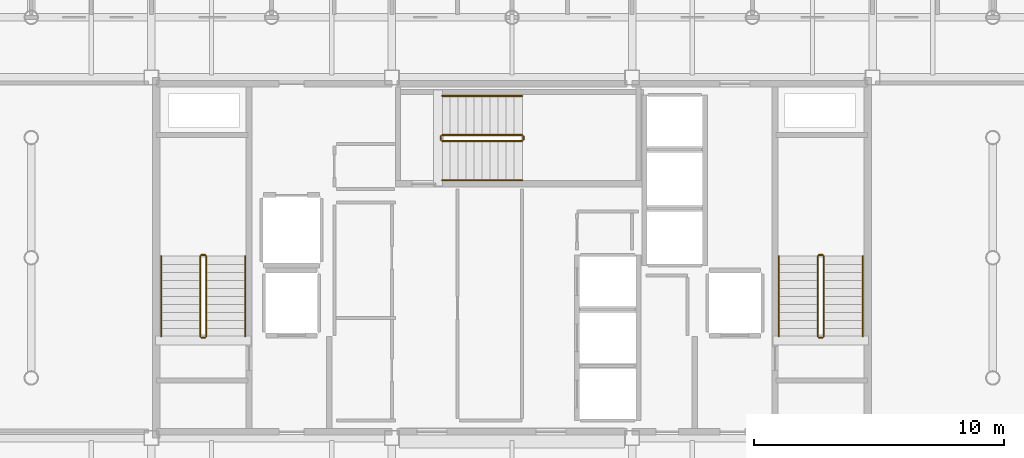
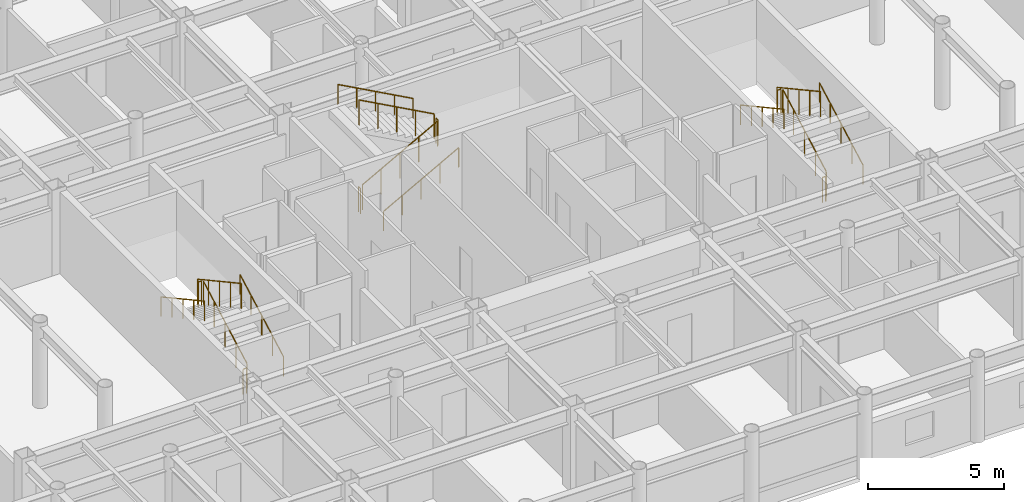
# One storey, part 23 of 23: 18 railings.
"""IFC4 building model written with IfcOpenShell, lengths in metres."""

from ifc_helpers import new_model, si_unit, direction, frame, origin, origin_2d, place, context, subcontext, project, spatial, circle, extrude, material, layer, layer_set, type_object, element, save


model = new_model("IFC4")

# Units and contexts
model_context = context("Model", 3, precision=1e-05, world=origin(), true_north=direction((0.0, 1.0)))
body_context = subcontext(model_context, "Body", "Model", "MODEL_VIEW")
ifc_project = project(units=[si_unit("LENGTHUNIT", "METRE"), si_unit("AREAUNIT", "SQUARE_METRE"), si_unit("VOLUMEUNIT", "CUBIC_METRE"), si_unit("PLANEANGLEUNIT", "RADIAN"), si_unit("MASSUNIT", "GRAM", prefix="KILO")], contexts=[model_context])

# Site, building, storey
site_placement = place(None, origin())
site = spatial("IfcSite", under=ifc_project, at=site_placement, CompositionType="ELEMENT")
building_placement = place(site_placement, origin())
building = spatial("IfcBuilding", under=site, at=building_placement, Name="Kallvorn Hotel Tower", CompositionType="ELEMENT")
storey_placement = place(building_placement, frame((0.0, 0.0, 237.699951171875)))
storey = spatial("IfcBuildingStorey", under=building, at=storey_placement, Name="L59", CompositionType="ELEMENT", Elevation=237.699951171875)

# Railings
ifc_material_1 = material(Name="Brushed stainless-steel tubular railing", Category="steel")
ifc_layer_1 = layer(ifc_material_1, 0.050048828125)
ifc_layer_set_1 = layer_set([ifc_layer_1], Name="RL_STAIR_GUARD")
railing_type_1 = type_object("IfcRailingType", Name="RL_STAIR_GUARD", PredefinedType="GUARDRAIL", material=ifc_layer_set_1)
railing_1_placement = place(storey_placement, frame((-12.2099609375, -3.139892578125, 0.175048828125)))
element("IfcRailing", 1, at=railing_1_placement, inside=storey, type_object=railing_type_1, Name="L59 ST1 stair guard 1", PredefinedType="GUARDRAIL", context=body_context, shape_type="SweptSolid", body=[
    extrude(circle(Radius=0.02392578125, at=origin_2d()), frame((0.0, 0.0, 1.1259765625), z_axis=(0.0, 0.877368057402, 0.479817977833), x_axis=(-1.0, 0.0, 0.0)), (0.0, 0.0, 1.0), 3.647216796875),
    extrude(circle(Radius=0.02099609375, at=origin_2d()), origin(), (0.0, 0.0, 1.0), 1.101806640625),
    extrude(circle(Radius=0.02099609375, at=origin_2d()), frame((0.0, 0.800048828125, 0.4375)), (0.0, 0.0, 1.0), 1.101806640625),
    extrude(circle(Radius=0.02099609375, at=origin_2d()), frame((0.0, 1.60009765625, 0.875)), (0.0, 0.0, 1.0), 1.101806640625),
    extrude(circle(Radius=0.02099609375, at=origin_2d()), frame((0.0, 2.39990234375, 1.3125)), (0.0, 0.0, 1.0), 1.101806640625),
    extrude(circle(Radius=0.02099609375, at=origin_2d()), frame((0.0, 3.199951171875, 1.75)), (0.0, 0.0, 1.0), 1.101806640625),
])
railing_2_placement = place(storey_placement, frame((-12.260009765625, 0.110107421875, 1.925048828125)))
element("IfcRailing", 2, at=railing_2_placement, inside=storey, type_object=railing_type_1, Name="L59 ST1 stair guard 2", PredefinedType="GUARDRAIL", context=body_context, shape_type="SweptSolid", body=[
    extrude(circle(Radius=0.02392578125, at=origin_2d()), frame((0.0, 0.0, 1.1259765625), z_axis=(-1.0, 0.0, 0.0), x_axis=(0.0, -1.0, 0.0)), (0.0, 0.0, 1.0), 0.139892578125),
    extrude(circle(Radius=0.02099609375, at=origin_2d()), origin(), (0.0, 0.0, 1.0), 1.101806640625),
    extrude(circle(Radius=0.02099609375, at=origin_2d()), frame((-0.139892578125, 0.0, 0.0)), (0.0, 0.0, 1.0), 1.101806640625),
])
railing_3_placement = place(storey_placement, frame((-12.449951171875, 0.06005859375, 2.10009765625)))
element("IfcRailing", 3, at=railing_3_placement, inside=storey, type_object=railing_type_1, Name="L59 ST1 stair guard 3", PredefinedType="GUARDRAIL", context=body_context, shape_type="SweptSolid", body=[
    extrude(circle(Radius=0.02392578125, at=origin_2d()), frame((0.0, 0.0, 1.1259765625), z_axis=(0.0, -0.877368057402, 0.479817977833), x_axis=(1.0, 0.0, 0.0)), (0.0, 0.0, 1.0), 3.647216796875),
    extrude(circle(Radius=0.02099609375, at=origin_2d()), origin(), (0.0, 0.0, 1.0), 1.101806640625),
    extrude(circle(Radius=0.02099609375, at=origin_2d()), frame((0.0, -0.800048828125, 0.4375)), (0.0, 0.0, 1.0), 1.101806640625),
    extrude(circle(Radius=0.02099609375, at=origin_2d()), frame((0.0, -1.60009765625, 0.875)), (0.0, 0.0, 1.0), 1.101806640625),
    extrude(circle(Radius=0.02099609375, at=origin_2d()), frame((0.0, -2.39990234375, 1.3125)), (0.0, 0.0, 1.0), 1.101806640625),
    extrude(circle(Radius=0.02099609375, at=origin_2d()), frame((0.0, -3.199951171875, 1.75)), (0.0, 0.0, 1.0), 1.101806640625),
])
railing_4_placement = place(storey_placement, frame((-12.260009765625, -3.18994140625, 0.0)))
element("IfcRailing", 4, at=railing_4_placement, inside=storey, type_object=railing_type_1, Name="L59 ST1 stair guard 4", PredefinedType="GUARDRAIL", context=body_context, shape_type="SweptSolid", body=[
    extrude(circle(Radius=0.02392578125, at=origin_2d()), frame((0.0, 0.0, 1.1259765625), z_axis=(-1.0, 0.0, 0.0), x_axis=(0.0, -1.0, 0.0)), (0.0, 0.0, 1.0), 0.139892578125),
    extrude(circle(Radius=0.02099609375, at=origin_2d()), origin(), (0.0, 0.0, 1.0), 1.101806640625),
    extrude(circle(Radius=0.02099609375, at=origin_2d()), frame((-0.139892578125, 0.0, 0.0)), (0.0, 0.0, 1.0), 1.101806640625),
])
railing_5_placement = place(storey_placement, frame((12.449951171875, -3.139892578125, 0.175048828125)))
element("IfcRailing", 5, at=railing_5_placement, inside=storey, type_object=railing_type_1, Name="L59 ST2 stair guard 1", PredefinedType="GUARDRAIL", context=body_context, shape_type="SweptSolid", body=[
    extrude(circle(Radius=0.02392578125, at=origin_2d()), frame((0.0, 0.0, 1.1259765625), z_axis=(0.0, 0.877368057402, 0.479817977833), x_axis=(-1.0, 0.0, 0.0)), (0.0, 0.0, 1.0), 3.647216796875),
    extrude(circle(Radius=0.02099609375, at=origin_2d()), origin(), (0.0, 0.0, 1.0), 1.101806640625),
    extrude(circle(Radius=0.02099609375, at=origin_2d()), frame((0.0, 0.800048828125, 0.4375)), (0.0, 0.0, 1.0), 1.101806640625),
    extrude(circle(Radius=0.02099609375, at=origin_2d()), frame((0.0, 1.60009765625, 0.875)), (0.0, 0.0, 1.0), 1.101806640625),
    extrude(circle(Radius=0.02099609375, at=origin_2d()), frame((0.0, 2.39990234375, 1.3125)), (0.0, 0.0, 1.0), 1.101806640625),
    extrude(circle(Radius=0.02099609375, at=origin_2d()), frame((0.0, 3.199951171875, 1.75)), (0.0, 0.0, 1.0), 1.101806640625),
])
railing_6_placement = place(storey_placement, frame((12.39990234375, 0.110107421875, 1.925048828125)))
element("IfcRailing", 6, at=railing_6_placement, inside=storey, type_object=railing_type_1, Name="L59 ST2 stair guard 2", PredefinedType="GUARDRAIL", context=body_context, shape_type="SweptSolid", body=[
    extrude(circle(Radius=0.02392578125, at=origin_2d()), frame((0.0, 0.0, 1.1259765625), z_axis=(-1.0, 0.0, 0.0), x_axis=(0.0, -1.0, 0.0)), (0.0, 0.0, 1.0), 0.139892578125),
    extrude(circle(Radius=0.02099609375, at=origin_2d()), origin(), (0.0, 0.0, 1.0), 1.101806640625),
    extrude(circle(Radius=0.02099609375, at=origin_2d()), frame((-0.139892578125, 0.0, 0.0)), (0.0, 0.0, 1.0), 1.101806640625),
])
railing_7_placement = place(storey_placement, frame((12.2099609375, 0.06005859375, 2.10009765625)))
element("IfcRailing", 7, at=railing_7_placement, inside=storey, type_object=railing_type_1, Name="L59 ST2 stair guard 3", PredefinedType="GUARDRAIL", context=body_context, shape_type="SweptSolid", body=[
    extrude(circle(Radius=0.02392578125, at=origin_2d()), frame((0.0, 0.0, 1.1259765625), z_axis=(0.0, -0.877368057402, 0.479817977833), x_axis=(1.0, 0.0, 0.0)), (0.0, 0.0, 1.0), 3.647216796875),
    extrude(circle(Radius=0.02099609375, at=origin_2d()), origin(), (0.0, 0.0, 1.0), 1.101806640625),
    extrude(circle(Radius=0.02099609375, at=origin_2d()), frame((0.0, -0.800048828125, 0.4375)), (0.0, 0.0, 1.0), 1.101806640625),
    extrude(circle(Radius=0.02099609375, at=origin_2d()), frame((0.0, -1.60009765625, 0.875)), (0.0, 0.0, 1.0), 1.101806640625),
    extrude(circle(Radius=0.02099609375, at=origin_2d()), frame((0.0, -2.39990234375, 1.3125)), (0.0, 0.0, 1.0), 1.101806640625),
    extrude(circle(Radius=0.02099609375, at=origin_2d()), frame((0.0, -3.199951171875, 1.75)), (0.0, 0.0, 1.0), 1.101806640625),
])
railing_8_placement = place(storey_placement, frame((12.39990234375, -3.18994140625, 0.0)))
element("IfcRailing", 8, at=railing_8_placement, inside=storey, type_object=railing_type_1, Name="L59 ST2 stair guard 4", PredefinedType="GUARDRAIL", context=body_context, shape_type="SweptSolid", body=[
    extrude(circle(Radius=0.02392578125, at=origin_2d()), frame((0.0, 0.0, 1.1259765625), z_axis=(-1.0, 0.0, 0.0), x_axis=(0.0, -1.0, 0.0)), (0.0, 0.0, 1.0), 0.139892578125),
    extrude(circle(Radius=0.02099609375, at=origin_2d()), origin(), (0.0, 0.0, 1.0), 1.101806640625),
    extrude(circle(Radius=0.02099609375, at=origin_2d()), frame((-0.139892578125, 0.0, 0.0)), (0.0, 0.0, 1.0), 1.101806640625),
])
railing_9_placement = place(storey_placement, frame((-2.7900390625, 4.659912109375, 0.175048828125)))
element("IfcRailing", 9, at=railing_9_placement, inside=storey, type_object=railing_type_1, Name="L59 ST3 stair guard 1", PredefinedType="GUARDRAIL", context=body_context, shape_type="SweptSolid", body=[
    extrude(circle(Radius=0.02392578125, at=origin_2d()), frame((0.0, 0.0, 1.1259765625), z_axis=(0.877368057402, 0.0, 0.479817977833), x_axis=(0.0, 1.0, 0.0)), (0.0, 0.0, 1.0), 3.647216796875),
    extrude(circle(Radius=0.02099609375, at=origin_2d()), origin(), (0.0, 0.0, 1.0), 1.101806640625),
    extrude(circle(Radius=0.02099609375, at=origin_2d()), frame((0.800048828125, 0.0, 0.4375)), (0.0, 0.0, 1.0), 1.101806640625),
    extrude(circle(Radius=0.02099609375, at=origin_2d()), frame((1.60009765625, 0.0, 0.875)), (0.0, 0.0, 1.0), 1.101806640625),
    extrude(circle(Radius=0.02099609375, at=origin_2d()), frame((2.39990234375, 0.0, 1.3125)), (0.0, 0.0, 1.0), 1.101806640625),
    extrude(circle(Radius=0.02099609375, at=origin_2d()), frame((3.199951171875, 0.0, 1.75)), (0.0, 0.0, 1.0), 1.101806640625),
])
railing_10_placement = place(storey_placement, frame((0.4599609375, 4.7099609375, 1.925048828125)))
element("IfcRailing", 10, at=railing_10_placement, inside=storey, type_object=railing_type_1, Name="L59 ST3 stair guard 2", PredefinedType="GUARDRAIL", context=body_context, shape_type="SweptSolid", body=[
    extrude(circle(Radius=0.02392578125, at=origin_2d()), frame((0.0, 0.0, 1.1259765625), z_axis=(0.0, 1.0, 0.0), x_axis=(-1.0, 0.0, 0.0)), (0.0, 0.0, 1.0), 0.14013671875),
    extrude(circle(Radius=0.02099609375, at=origin_2d()), origin(), (0.0, 0.0, 1.0), 1.101806640625),
    extrude(circle(Radius=0.02099609375, at=origin_2d()), frame((0.0, 0.14013671875, 0.0)), (0.0, 0.0, 1.0), 1.101806640625),
])
railing_11_placement = place(storey_placement, frame((0.409912109375, 4.89990234375, 2.10009765625)))
element("IfcRailing", 11, at=railing_11_placement, inside=storey, type_object=railing_type_1, Name="L59 ST3 stair guard 3", PredefinedType="GUARDRAIL", context=body_context, shape_type="SweptSolid", body=[
    extrude(circle(Radius=0.02392578125, at=origin_2d()), frame((0.0, 0.0, 1.1259765625), z_axis=(-0.877368057402, 0.0, 0.479817977833), x_axis=(0.0, -1.0, 0.0)), (0.0, 0.0, 1.0), 3.647216796875),
    extrude(circle(Radius=0.02099609375, at=origin_2d()), origin(), (0.0, 0.0, 1.0), 1.101806640625),
    extrude(circle(Radius=0.02099609375, at=origin_2d()), frame((-0.800048828125, 0.0, 0.4375)), (0.0, 0.0, 1.0), 1.101806640625),
    extrude(circle(Radius=0.02099609375, at=origin_2d()), frame((-1.60009765625, 0.0, 0.875)), (0.0, 0.0, 1.0), 1.101806640625),
    extrude(circle(Radius=0.02099609375, at=origin_2d()), frame((-2.39990234375, 0.0, 1.3125)), (0.0, 0.0, 1.0), 1.101806640625),
    extrude(circle(Radius=0.02099609375, at=origin_2d()), frame((-3.199951171875, 0.0, 1.75)), (0.0, 0.0, 1.0), 1.101806640625),
])
railing_12_placement = place(storey_placement, frame((-2.840087890625, 4.7099609375, 0.0)))
element("IfcRailing", 12, at=railing_12_placement, inside=storey, type_object=railing_type_1, Name="L59 ST3 stair guard 4", PredefinedType="GUARDRAIL", context=body_context, shape_type="SweptSolid", body=[
    extrude(circle(Radius=0.02392578125, at=origin_2d()), frame((0.0, 0.0, 1.1259765625), z_axis=(0.0, 1.0, 0.0), x_axis=(-1.0, 0.0, 0.0)), (0.0, 0.0, 1.0), 0.14013671875),
    extrude(circle(Radius=0.02099609375, at=origin_2d()), origin(), (0.0, 0.0, 1.0), 1.101806640625),
    extrude(circle(Radius=0.02099609375, at=origin_2d()), frame((0.0, 0.14013671875, 0.0)), (0.0, 0.0, 1.0), 1.101806640625),
])
ifc_material_2 = material(Name="Brushed stainless-steel tubular railing", Category="steel")
ifc_layer_2 = layer(ifc_material_2, 0.050048828125)
ifc_layer_set_2 = layer_set([ifc_layer_2], Name="RL_STAIR_HAND")
railing_type_2 = type_object("IfcRailingType", Name="RL_STAIR_HAND", PredefinedType="HANDRAIL", material=ifc_layer_set_2)
railing_13_placement = place(storey_placement, frame((-10.64990234375, -3.139892578125, 0.175048828125)))
element("IfcRailing", 13, at=railing_13_placement, inside=storey, type_object=railing_type_2, Name="L59 ST1 stair handrail 1", PredefinedType="HANDRAIL", context=body_context, shape_type="SweptSolid", body=[
    extrude(circle(Radius=0.02392578125, at=origin_2d()), frame((0.0, 0.0, 0.8759765625), z_axis=(0.0, 0.877368057402, 0.479817977833), x_axis=(-1.0, 0.0, 0.0)), (0.0, 0.0, 1.0), 3.647216796875),
    extrude(circle(Radius=0.02099609375, at=origin_2d()), origin(), (0.0, 0.0, 1.0), 0.851806640625),
    extrude(circle(Radius=0.02099609375, at=origin_2d()), frame((0.0, 0.800048828125, 0.4375)), (0.0, 0.0, 1.0), 0.851806640625),
    extrude(circle(Radius=0.02099609375, at=origin_2d()), frame((0.0, 1.60009765625, 0.875)), (0.0, 0.0, 1.0), 0.851806640625),
    extrude(circle(Radius=0.02099609375, at=origin_2d()), frame((0.0, 2.39990234375, 1.3125)), (0.0, 0.0, 1.0), 0.851806640625),
    extrude(circle(Radius=0.02099609375, at=origin_2d()), frame((0.0, 3.199951171875, 1.75)), (0.0, 0.0, 1.0), 0.851806640625),
])
railing_14_placement = place(storey_placement, frame((-14.010009765625, 0.06005859375, 2.10009765625)))
element("IfcRailing", 14, at=railing_14_placement, inside=storey, type_object=railing_type_2, Name="L59 ST1 stair handrail 2", PredefinedType="HANDRAIL", context=body_context, shape_type="SweptSolid", body=[
    extrude(circle(Radius=0.02392578125, at=origin_2d()), frame((0.0, 0.0, 0.8759765625), z_axis=(0.0, -0.877368057402, 0.479817977833), x_axis=(1.0, 0.0, 0.0)), (0.0, 0.0, 1.0), 3.647216796875),
    extrude(circle(Radius=0.02099609375, at=origin_2d()), origin(), (0.0, 0.0, 1.0), 0.851806640625),
    extrude(circle(Radius=0.02099609375, at=origin_2d()), frame((0.0, -0.800048828125, 0.4375)), (0.0, 0.0, 1.0), 0.851806640625),
    extrude(circle(Radius=0.02099609375, at=origin_2d()), frame((0.0, -1.60009765625, 0.875)), (0.0, 0.0, 1.0), 0.851806640625),
    extrude(circle(Radius=0.02099609375, at=origin_2d()), frame((0.0, -2.39990234375, 1.3125)), (0.0, 0.0, 1.0), 0.851806640625),
    extrude(circle(Radius=0.02099609375, at=origin_2d()), frame((0.0, -3.199951171875, 1.75)), (0.0, 0.0, 1.0), 0.851806640625),
])
railing_15_placement = place(storey_placement, frame((14.010009765625, -3.139892578125, 0.175048828125)))
element("IfcRailing", 15, at=railing_15_placement, inside=storey, type_object=railing_type_2, Name="L59 ST2 stair handrail 1", PredefinedType="HANDRAIL", context=body_context, shape_type="SweptSolid", body=[
    extrude(circle(Radius=0.02392578125, at=origin_2d()), frame((0.0, 0.0, 0.8759765625), z_axis=(0.0, 0.877368057402, 0.479817977833), x_axis=(-1.0, 0.0, 0.0)), (0.0, 0.0, 1.0), 3.647216796875),
    extrude(circle(Radius=0.02099609375, at=origin_2d()), origin(), (0.0, 0.0, 1.0), 0.851806640625),
    extrude(circle(Radius=0.02099609375, at=origin_2d()), frame((0.0, 0.800048828125, 0.4375)), (0.0, 0.0, 1.0), 0.851806640625),
    extrude(circle(Radius=0.02099609375, at=origin_2d()), frame((0.0, 1.60009765625, 0.875)), (0.0, 0.0, 1.0), 0.851806640625),
    extrude(circle(Radius=0.02099609375, at=origin_2d()), frame((0.0, 2.39990234375, 1.3125)), (0.0, 0.0, 1.0), 0.851806640625),
    extrude(circle(Radius=0.02099609375, at=origin_2d()), frame((0.0, 3.199951171875, 1.75)), (0.0, 0.0, 1.0), 0.851806640625),
])
railing_16_placement = place(storey_placement, frame((10.64990234375, 0.06005859375, 2.10009765625)))
element("IfcRailing", 16, at=railing_16_placement, inside=storey, type_object=railing_type_2, Name="L59 ST2 stair handrail 2", PredefinedType="HANDRAIL", context=body_context, shape_type="SweptSolid", body=[
    extrude(circle(Radius=0.02392578125, at=origin_2d()), frame((0.0, 0.0, 0.8759765625), z_axis=(0.0, -0.877368057402, 0.479817977833), x_axis=(1.0, 0.0, 0.0)), (0.0, 0.0, 1.0), 3.647216796875),
    extrude(circle(Radius=0.02099609375, at=origin_2d()), origin(), (0.0, 0.0, 1.0), 0.851806640625),
    extrude(circle(Radius=0.02099609375, at=origin_2d()), frame((0.0, -0.800048828125, 0.4375)), (0.0, 0.0, 1.0), 0.851806640625),
    extrude(circle(Radius=0.02099609375, at=origin_2d()), frame((0.0, -1.60009765625, 0.875)), (0.0, 0.0, 1.0), 0.851806640625),
    extrude(circle(Radius=0.02099609375, at=origin_2d()), frame((0.0, -2.39990234375, 1.3125)), (0.0, 0.0, 1.0), 0.851806640625),
    extrude(circle(Radius=0.02099609375, at=origin_2d()), frame((0.0, -3.199951171875, 1.75)), (0.0, 0.0, 1.0), 0.851806640625),
])
railing_17_placement = place(storey_placement, frame((-2.7900390625, 3.10009765625, 0.175048828125)))
element("IfcRailing", 17, at=railing_17_placement, inside=storey, type_object=railing_type_2, Name="L59 ST3 stair handrail 1", PredefinedType="HANDRAIL", context=body_context, shape_type="SweptSolid", body=[
    extrude(circle(Radius=0.02392578125, at=origin_2d()), frame((0.0, 0.0, 0.8759765625), z_axis=(0.877368057402, 0.0, 0.479817977833), x_axis=(0.0, 1.0, 0.0)), (0.0, 0.0, 1.0), 3.647216796875),
    extrude(circle(Radius=0.02099609375, at=origin_2d()), origin(), (0.0, 0.0, 1.0), 0.851806640625),
    extrude(circle(Radius=0.02099609375, at=origin_2d()), frame((0.800048828125, 0.0, 0.4375)), (0.0, 0.0, 1.0), 0.851806640625),
    extrude(circle(Radius=0.02099609375, at=origin_2d()), frame((1.60009765625, 0.0, 0.875)), (0.0, 0.0, 1.0), 0.851806640625),
    extrude(circle(Radius=0.02099609375, at=origin_2d()), frame((2.39990234375, 0.0, 1.3125)), (0.0, 0.0, 1.0), 0.851806640625),
    extrude(circle(Radius=0.02099609375, at=origin_2d()), frame((3.199951171875, 0.0, 1.75)), (0.0, 0.0, 1.0), 0.851806640625),
])
railing_18_placement = place(storey_placement, frame((0.409912109375, 6.4599609375, 2.10009765625)))
element("IfcRailing", 18, at=railing_18_placement, inside=storey, type_object=railing_type_2, Name="L59 ST3 stair handrail 2", PredefinedType="HANDRAIL", context=body_context, shape_type="SweptSolid", body=[
    extrude(circle(Radius=0.02392578125, at=origin_2d()), frame((0.0, 0.0, 0.8759765625), z_axis=(-0.877368057402, 0.0, 0.479817977833), x_axis=(0.0, -1.0, 0.0)), (0.0, 0.0, 1.0), 3.647216796875),
    extrude(circle(Radius=0.02099609375, at=origin_2d()), origin(), (0.0, 0.0, 1.0), 0.851806640625),
    extrude(circle(Radius=0.02099609375, at=origin_2d()), frame((-0.800048828125, 0.0, 0.4375)), (0.0, 0.0, 1.0), 0.851806640625),
    extrude(circle(Radius=0.02099609375, at=origin_2d()), frame((-1.60009765625, 0.0, 0.875)), (0.0, 0.0, 1.0), 0.851806640625),
    extrude(circle(Radius=0.02099609375, at=origin_2d()), frame((-2.39990234375, 0.0, 1.3125)), (0.0, 0.0, 1.0), 0.851806640625),
    extrude(circle(Radius=0.02099609375, at=origin_2d()), frame((-3.199951171875, 0.0, 1.75)), (0.0, 0.0, 1.0), 0.851806640625),
])

save(model, "model.ifc")
